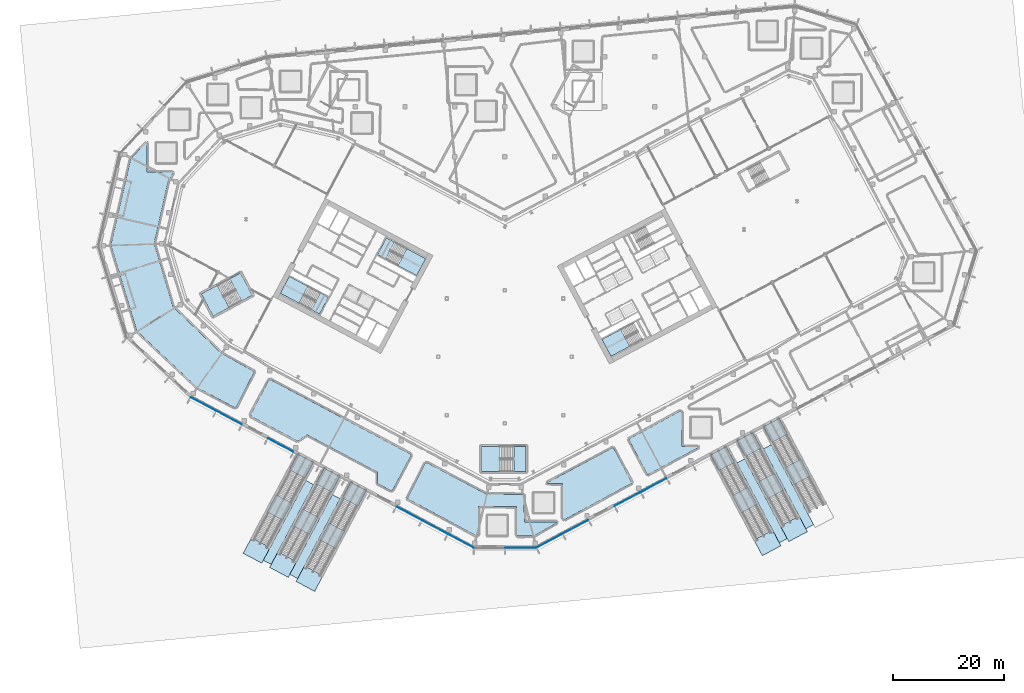
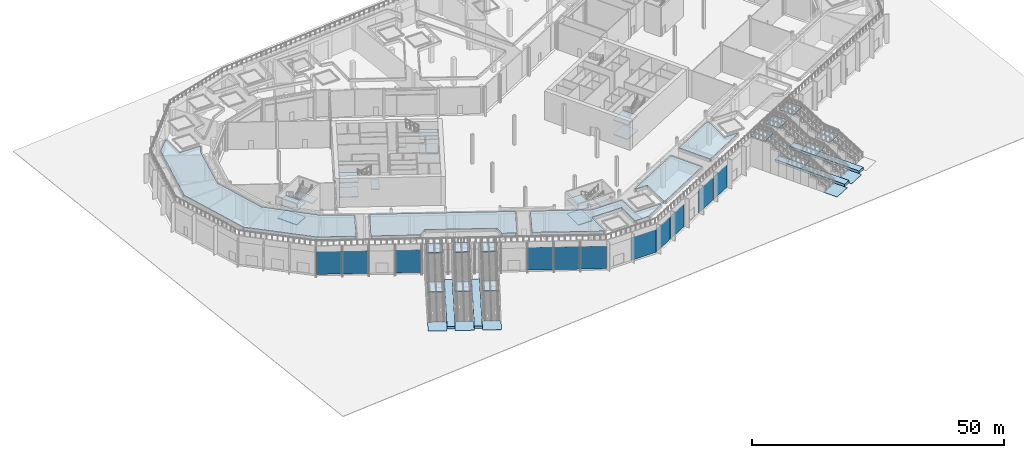
# One storey, part 11 of 57: 40 slabs, 11 plates, 14 elements without a shape of their own.
"""IFC4 building model written with IfcOpenShell, lengths in metres."""

from ifc_helpers import new_model, si_unit, direction, frame, origin, origin_2d, place, context, subcontext, project, spatial, polyline, rectangle, outline, extrude, material, layer, layer_set, type_object, element, aggregate, save


model = new_model("IFC4")

# Units and contexts
model_context = context("Model", 3, precision=1e-05, world=origin(), true_north=direction((0.0, 1.0)))
body_context = subcontext(model_context, "Body", "Model", "MODEL_VIEW")
ifc_project = project(units=[si_unit("LENGTHUNIT", "METRE"), si_unit("AREAUNIT", "SQUARE_METRE"), si_unit("VOLUMEUNIT", "CUBIC_METRE"), si_unit("PLANEANGLEUNIT", "RADIAN"), si_unit("MASSUNIT", "GRAM", prefix="KILO")], contexts=[model_context])

# Site, building, storey
site_placement = place(None, origin())
site = spatial("IfcSite", under=ifc_project, at=site_placement, CompositionType="ELEMENT")
building_placement = place(site_placement, origin())
building = spatial("IfcBuilding", under=site, at=building_placement, Name="Cormorant Relay Tower", CompositionType="ELEMENT")
storey_placement = place(building_placement, origin())
storey = spatial("IfcBuildingStorey", under=building, at=storey_placement, Name="L00", CompositionType="ELEMENT", Elevation=0.0)

# Curtain wall, plates
ifc_material_1 = material(Name="Aluminium 6063-T6 anodised bronze", Category="aluminium")
ifc_layer_1 = layer(ifc_material_1, 0.199951171875)
ifc_layer_set_1 = layer_set([ifc_layer_1], Name="CW2 base storefront")
curtain_wall_type = type_object("IfcCurtainWallType", Name="CW2 base storefront", PredefinedType="NOTDEFINED", material=ifc_layer_set_1)
curtain_wall_1_placement = place(storey_placement, origin())
curtain_wall_1 = element("IfcCurtainWall", 1, at=curtain_wall_1_placement, inside=storey, type_object=curtain_wall_type, Name="CW2 curtain wall 1", PredefinedType="NOTDEFINED")
ifc_material_2 = material(Name="Tinted laminated glass", Category="glass")
ifc_layer_2 = layer(ifc_material_2, 0.0400390625)
ifc_layer_set_2 = layer_set([ifc_layer_2], Name="CW2 tinted vision panel 5400 module")
plate_type = type_object("IfcPlateType", Name="CW2 tinted vision panel 5400 module", PredefinedType="CURTAIN_PANEL", material=ifc_layer_set_2)
plate_1_placement = place(storey_placement, frame((7.9990234375, -33.144287109375, 0.0), z_axis=(0.0, 0.0, 1.0), x_axis=(0.882947592859, 0.469471562786, 0.0)))
plate_1 = element("IfcPlate", 2, at=plate_1_placement, type_object=plate_type, Name="CW2 panel V00", PredefinedType="CURTAIN_PANEL", context=body_context, shape_type="SweptSolid", body=[
    extrude(rectangle(XDim=5.17041015625, YDim=0.0400390625, at=origin_2d()), origin(), (0.0, 0.0, 1.0), 5.5),
])
plate_2_placement = place(storey_placement, frame((12.69677734375, -30.646484375, 0.0), z_axis=(0.0, 0.0, 1.0), x_axis=(0.882947592859, 0.469471562786, 0.0)))
plate_2 = element("IfcPlate", 3, at=plate_2_placement, type_object=plate_type, Name="CW2 panel V01", PredefinedType="CURTAIN_PANEL", context=body_context, shape_type="SweptSolid", body=[
    extrude(rectangle(XDim=5.17041015625, YDim=0.0400390625, at=origin_2d()), origin(), (0.0, 0.0, 1.0), 5.5),
])
plate_3_placement = place(storey_placement, frame((22.09228515625, -25.65087890625, 0.0), z_axis=(0.0, 0.0, 1.0), x_axis=(0.882947592859, 0.469471562786, 0.0)))
plate_3 = element("IfcPlate", 4, at=plate_3_placement, type_object=plate_type, Name="CW2 panel V03", PredefinedType="CURTAIN_PANEL", context=body_context, shape_type="SweptSolid", body=[
    extrude(rectangle(XDim=5.17041015625, YDim=0.0400390625, at=origin_2d()), origin(), (0.0, 0.0, 1.0), 5.5),
])
plate_4_placement = place(storey_placement, frame((26.7900390625, -23.153076171875, 0.0), z_axis=(0.0, 0.0, 1.0), x_axis=(0.882947592859, 0.469471562786, 0.0)))
plate_4 = element("IfcPlate", 5, at=plate_4_placement, type_object=plate_type, Name="CW2 panel V04", PredefinedType="CURTAIN_PANEL", context=body_context, shape_type="SweptSolid", body=[
    extrude(rectangle(XDim=5.17041015625, YDim=0.0400390625, at=origin_2d()), origin(), (0.0, 0.0, 1.0), 5.5),
])
aggregate(curtain_wall_1, [plate_1, plate_2, plate_3, plate_4])

curtain_wall_2_placement = place(storey_placement, origin())
curtain_wall_2 = element("IfcCurtainWall", 6, at=curtain_wall_2_placement, inside=storey, type_object=curtain_wall_type, Name="CW2 curtain wall 11", PredefinedType="NOTDEFINED")
plate_5_placement = place(storey_placement, frame((-54.312255859375, -8.51904296875, 0.0), z_axis=(0.0, 0.0, 1.0), x_axis=(0.882947592859, -0.469471562786, 0.0)))
plate_5 = element("IfcPlate", 7, at=plate_5_placement, type_object=plate_type, Name="CW2 panel V00", PredefinedType="CURTAIN_PANEL", context=body_context, shape_type="SweptSolid", body=[
    extrude(rectangle(XDim=5.098876953125, YDim=0.0400390625, at=origin_2d()), origin(), (0.0, 0.0, 1.0), 5.5),
])
plate_6_placement = place(storey_placement, frame((-49.677734375, -10.9833984375, 0.0), z_axis=(0.0, 0.0, 1.0), x_axis=(0.882947592859, -0.469471562786, 0.0)))
plate_6 = element("IfcPlate", 8, at=plate_6_placement, type_object=plate_type, Name="CW2 panel V01", PredefinedType="CURTAIN_PANEL", context=body_context, shape_type="SweptSolid", body=[
    extrude(rectangle(XDim=5.098876953125, YDim=0.0400390625, at=origin_2d()), origin(), (0.0, 0.0, 1.0), 5.5),
])
plate_7_placement = place(storey_placement, frame((-40.40869140625, -15.91162109375, 0.0), z_axis=(0.0, 0.0, 1.0), x_axis=(0.882947592859, -0.469471562786, 0.0)))
plate_7 = element("IfcPlate", 9, at=plate_7_placement, type_object=plate_type, Name="CW2 panel V03", PredefinedType="CURTAIN_PANEL", context=body_context, shape_type="SweptSolid", body=[
    extrude(rectangle(XDim=5.098876953125, YDim=0.0400390625, at=origin_2d()), origin(), (0.0, 0.0, 1.0), 5.5),
])
plate_8_placement = place(storey_placement, frame((-17.236328125, -28.232666015625, 0.0), z_axis=(0.0, 0.0, 1.0), x_axis=(0.882947592859, -0.469471562786, 0.0)))
plate_8 = element("IfcPlate", 10, at=plate_8_placement, type_object=plate_type, Name="CW2 panel V08", PredefinedType="CURTAIN_PANEL", context=body_context, shape_type="SweptSolid", body=[
    extrude(rectangle(XDim=5.098876953125, YDim=0.0400390625, at=origin_2d()), origin(), (0.0, 0.0, 1.0), 5.5),
])
plate_9_placement = place(storey_placement, frame((-12.601806640625, -30.697021484375, 0.0), z_axis=(0.0, 0.0, 1.0), x_axis=(0.882947592859, -0.469471562786, 0.0)))
plate_9 = element("IfcPlate", 11, at=plate_9_placement, type_object=plate_type, Name="CW2 panel V09", PredefinedType="CURTAIN_PANEL", context=body_context, shape_type="SweptSolid", body=[
    extrude(rectangle(XDim=5.098876953125, YDim=0.0400390625, at=origin_2d()), origin(), (0.0, 0.0, 1.0), 5.5),
])
plate_10_placement = place(storey_placement, frame((-7.934326171875, -33.1787109375, 0.0), z_axis=(0.0, 0.0, 1.0), x_axis=(0.882947592859, -0.469471562786, 0.0)))
plate_10 = element("IfcPlate", 12, at=plate_10_placement, type_object=plate_type, Name="CW2 panel V10", PredefinedType="CURTAIN_PANEL", context=body_context, shape_type="SweptSolid", body=[
    extrude(rectangle(XDim=5.173828125, YDim=0.0400390625, at=origin_2d()), origin(), (0.0, 0.0, 1.0), 5.5),
])
aggregate(curtain_wall_2, [plate_5, plate_6, plate_7, plate_8, plate_9, plate_10])

# Curtain wall, plate
curtain_wall_3_placement = place(storey_placement, origin())
curtain_wall_3 = element("IfcCurtainWall", 13, at=curtain_wall_3_placement, inside=storey, type_object=curtain_wall_type, Name="CW2 curtain wall 12", PredefinedType="NOTDEFINED")
plate_11_placement = place(storey_placement, frame((2.85791015625, -34.3955078125, 0.0), z_axis=(0.0, 0.0, 1.0), x_axis=(1.0, 0.0, 0.0)))
plate_11 = element("IfcPlate", 14, at=plate_11_placement, type_object=plate_type, Name="CW2 panel V01", PredefinedType="CURTAIN_PANEL", context=body_context, shape_type="SweptSolid", body=[
    extrude(rectangle(XDim=5.56591796875, YDim=0.0400390625, at=origin_2d()), origin(), (0.0, 0.0, 1.0), 5.5),
])
aggregate(curtain_wall_3, [plate_11])

# Stair, slabs
ifc_material_3 = material(Name="Concrete 40 MPa", Category="concrete")
stair_type_1 = type_object("IfcStairType", Name="Exit stair 1500", PredefinedType="HALF_TURN_STAIR", material=ifc_material_3)
stair_1_placement = place(storey_placement, origin())
stair_1 = element("IfcStair", 15, at=stair_1_placement, inside=storey, type_object=stair_type_1, Name="L00 Stair", PredefinedType="HALF_TURN_STAIR")
ifc_material_4 = material(Name="Concrete 40 MPa", Category="concrete")
ifc_layer_3 = layer(ifc_material_4, 0.199951171875)
ifc_layer_set_3 = layer_set([ifc_layer_3], Name="Exit stair landing 200")
slab_type_1 = type_object("IfcSlabType", Name="Exit stair landing 200", PredefinedType="LANDING", material=ifc_layer_set_3)
slab_1_placement = place(storey_placement, frame((0.0, 0.0, 1.550048828125)))
slab_1 = element("IfcSlab", 16, at=slab_1_placement, type_object=slab_type_1, Name="A1 landing 1", PredefinedType="LANDING", context=body_context, shape_type="SweptSolid", body=[
    extrude(outline(polyline([(-19.276611328125, 16.422119140625), (-15.89501953125, 14.6240234375), (-14.275390625, 17.670166015625), (-17.656982421875, 19.46826171875), (-19.276611328125, 16.422119140625)])), origin(), (0.0, 0.0, 1.0), 0.199951171875),
])
slab_2_placement = place(storey_placement, frame((0.0, 0.0, 3.300048828125)))
slab_2 = element("IfcSlab", 17, at=slab_2_placement, type_object=slab_type_1, Name="A1 landing 2", PredefinedType="LANDING", context=body_context, shape_type="SweptSolid", body=[
    extrude(outline(polyline([(-22.95849609375, 18.3798828125), (-21.501708984375, 17.605224609375), (-19.882080078125, 20.6513671875), (-21.3388671875, 21.426025390625), (-22.95849609375, 18.3798828125)])), origin(), (0.0, 0.0, 1.0), 0.199951171875),
])
slab_3_placement = place(storey_placement, frame((0.0, 0.0, 5.050048828125)))
slab_3 = element("IfcSlab", 18, at=slab_3_placement, type_object=slab_type_1, Name="A1 landing 3", PredefinedType="LANDING", context=body_context, shape_type="SweptSolid", body=[
    extrude(outline(polyline([(-19.276611328125, 16.422119140625), (-15.89501953125, 14.6240234375), (-14.275390625, 17.670166015625), (-17.656982421875, 19.46826171875), (-19.276611328125, 16.422119140625)])), origin(), (0.0, 0.0, 1.0), 0.199951171875),
])
aggregate(stair_1, [slab_1, slab_2, slab_3])

stair_2_placement = place(storey_placement, origin())
stair_2 = element("IfcStair", 19, at=stair_2_placement, inside=storey, type_object=stair_type_1, Name="L00 Stair", PredefinedType="HALF_TURN_STAIR")
slab_4_placement = place(storey_placement, frame((0.0, 0.0, 1.550048828125)))
slab_4 = element("IfcSlab", 20, at=slab_4_placement, type_object=slab_type_1, Name="A2 landing 1", PredefinedType="LANDING", context=body_context, shape_type="SweptSolid", body=[
    extrude(outline(polyline([(-35.466064453125, 12.68505859375), (-38.84765625, 14.483154296875), (-40.467529296875, 11.43701171875), (-37.085693359375, 9.638916015625), (-35.466064453125, 12.68505859375)])), origin(), (0.0, 0.0, 1.0), 0.199951171875),
])
slab_5_placement = place(storey_placement, frame((0.0, 0.0, 3.300048828125)))
slab_5 = element("IfcSlab", 21, at=slab_5_placement, type_object=slab_type_1, Name="A2 landing 2", PredefinedType="LANDING", context=body_context, shape_type="SweptSolid", body=[
    extrude(outline(polyline([(-31.7841796875, 10.7275390625), (-33.240966796875, 11.501953125), (-34.86083984375, 8.455810546875), (-33.40380859375, 7.681396484375), (-31.7841796875, 10.7275390625)])), origin(), (0.0, 0.0, 1.0), 0.199951171875),
])
slab_6_placement = place(storey_placement, frame((0.0, 0.0, 5.050048828125)))
slab_6 = element("IfcSlab", 22, at=slab_6_placement, type_object=slab_type_1, Name="A2 landing 3", PredefinedType="LANDING", context=body_context, shape_type="SweptSolid", body=[
    extrude(outline(polyline([(-35.466064453125, 12.68505859375), (-38.84765625, 14.483154296875), (-40.467529296875, 11.43701171875), (-37.085693359375, 9.638916015625), (-35.466064453125, 12.68505859375)])), origin(), (0.0, 0.0, 1.0), 0.199951171875),
])
aggregate(stair_2, [slab_4, slab_5, slab_6])

stair_3_placement = place(storey_placement, origin())
stair_3 = element("IfcStair", 23, at=stair_3_placement, inside=storey, type_object=stair_type_1, Name="L00 Stair", PredefinedType="HALF_TURN_STAIR")
slab_7_placement = place(storey_placement, frame((0.0, 0.0, 1.550048828125)))
slab_7 = element("IfcSlab", 24, at=slab_7_placement, type_object=slab_type_1, Name="B1 landing 1", PredefinedType="LANDING", context=body_context, shape_type="SweptSolid", body=[
    extrude(outline(polyline([(20.862060546875, 4.920166015625), (17.48046875, 3.1220703125), (19.10009765625, 0.075927734375), (22.481689453125, 1.8740234375), (20.862060546875, 4.920166015625)])), origin(), (0.0, 0.0, 1.0), 0.199951171875),
])
slab_8_placement = place(storey_placement, frame((0.0, 0.0, 5.050048828125)))
slab_8 = element("IfcSlab", 25, at=slab_8_placement, type_object=slab_type_1, Name="B1 landing 3", PredefinedType="LANDING", context=body_context, shape_type="SweptSolid", body=[
    extrude(outline(polyline([(20.862060546875, 4.920166015625), (17.48046875, 3.1220703125), (19.10009765625, 0.075927734375), (22.481689453125, 1.8740234375), (20.862060546875, 4.920166015625)])), origin(), (0.0, 0.0, 1.0), 0.199951171875),
])
aggregate(stair_3, [slab_7, slab_8])

ifc_material_5 = material(Name="Concrete 40 MPa", Category="concrete")
stair_type_2 = type_object("IfcStairType", Name="Remote exit stair 2200", PredefinedType="HALF_TURN_STAIR", material=ifc_material_5)
stair_4_placement = place(storey_placement, origin())
stair_4 = element("IfcStair", 26, at=stair_4_placement, inside=storey, type_object=stair_type_2, Name="L00 Stair", PredefinedType="HALF_TURN_STAIR")
slab_9_placement = place(storey_placement, frame((0.0, 0.0, 1.550048828125)))
slab_9 = element("IfcSlab", 27, at=slab_9_placement, type_object=slab_type_1, Name="RK1 landing 1", PredefinedType="LANDING", context=body_context, shape_type="SweptSolid", body=[
    extrude(outline(polyline([(-0.919921875, -16.125), (-4.199951171875, -16.125), (-4.199951171875, -20.675048828125), (-0.919921875, -20.675048828125), (-0.919921875, -16.125)])), origin(), (0.0, 0.0, 1.0), 0.199951171875),
])
slab_10_placement = place(storey_placement, frame((0.0, 0.0, 3.300048828125)))
slab_10 = element("IfcSlab", 28, at=slab_10_placement, type_object=slab_type_1, Name="RK1 landing 2", PredefinedType="LANDING", context=body_context, shape_type="SweptSolid", body=[
    extrude(outline(polyline([(3.800048828125, -16.125), (1.60009765625, -16.125), (1.60009765625, -20.675048828125), (3.800048828125, -20.675048828125), (3.800048828125, -16.125)])), origin(), (0.0, 0.0, 1.0), 0.199951171875),
])
slab_11_placement = place(storey_placement, frame((0.0, 0.0, 5.050048828125)))
slab_11 = element("IfcSlab", 29, at=slab_11_placement, type_object=slab_type_1, Name="RK1 landing 3", PredefinedType="LANDING", context=body_context, shape_type="SweptSolid", body=[
    extrude(outline(polyline([(-0.919921875, -16.125), (-4.199951171875, -16.125), (-4.199951171875, -20.675048828125), (-0.919921875, -20.675048828125), (-0.919921875, -16.125)])), origin(), (0.0, 0.0, 1.0), 0.199951171875),
])
aggregate(stair_4, [slab_9, slab_10, slab_11])

stair_5_placement = place(storey_placement, origin())
stair_5 = element("IfcStair", 30, at=stair_5_placement, inside=storey, type_object=stair_type_2, Name="L00 Stair", PredefinedType="HALF_TURN_STAIR")
slab_12_placement = place(storey_placement, frame((0.0, 0.0, 1.550048828125)))
slab_12 = element("IfcSlab", 31, at=slab_12_placement, type_object=slab_type_1, Name="RP1 landing 1", PredefinedType="LANDING", context=body_context, shape_type="SweptSolid", body=[
    extrude(outline(polyline([(-51.8037109375, 12.87060546875), (-54.699951171875, 11.330810546875), (-52.563720703125, 7.3134765625), (-49.667724609375, 8.853271484375), (-51.8037109375, 12.87060546875)])), origin(), (0.0, 0.0, 1.0), 0.199951171875),
])
slab_13_placement = place(storey_placement, frame((0.0, 0.0, 3.300048828125)))
slab_13 = element("IfcSlab", 32, at=slab_13_placement, type_object=slab_type_1, Name="RP1 landing 2", PredefinedType="LANDING", context=body_context, shape_type="SweptSolid", body=[
    extrude(outline(polyline([(-47.63623046875, 15.086669921875), (-49.578857421875, 14.0537109375), (-47.442626953125, 10.036376953125), (-45.500244140625, 11.069091796875), (-47.63623046875, 15.086669921875)])), origin(), (0.0, 0.0, 1.0), 0.199951171875),
])
slab_14_placement = place(storey_placement, frame((0.0, 0.0, 5.050048828125)))
slab_14 = element("IfcSlab", 33, at=slab_14_placement, type_object=slab_type_1, Name="RP1 landing 3", PredefinedType="LANDING", context=body_context, shape_type="SweptSolid", body=[
    extrude(outline(polyline([(-51.8037109375, 12.87060546875), (-54.699951171875, 11.330810546875), (-52.563720703125, 7.3134765625), (-49.667724609375, 8.853271484375), (-51.8037109375, 12.87060546875)])), origin(), (0.0, 0.0, 1.0), 0.199951171875),
])
aggregate(stair_5, [slab_12, slab_13, slab_14])

# Slabs
ifc_material_6 = material(Name="Planting soil")
ifc_layer_4 = layer(ifc_material_6, 0.60009765625)
ifc_layer_set_4 = layer_set([ifc_layer_4], Name="PLANTER bed")
slab_type_2 = type_object("IfcSlabType", Name="PLANTER bed", PredefinedType="FLOOR", material=ifc_layer_set_4)
slab_15_placement = place(storey_placement, frame((0.0, 0.0, 7.0)))
element("IfcSlab", 34, at=slab_15_placement, inside=storey, type_object=slab_type_2, Name="PLANTER 01", PredefinedType="FLOOR", context=body_context, shape_type="SweptSolid", body=[
    extrude(outline(polyline([(2.341064453125, -32.323974609375), (5.212158203125, -32.27978515625), (9.39794921875, -29.89990234375), (9.268310546875, -29.741455078125), (3.5400390625, -29.7177734375), (3.363037109375, -24.8076171875), (-3.357177734375, -24.7275390625), (-14.030029296875, -19.098388671875), (-14.371337890625, -19.20263671875), (-17.62109375, -25.552490234375), (-5.11474609375, -32.279541015625), (-4.810302734375, -32.05029296875), (-4.78662109375, -26.947021484375), (2.089111328125, -27.0078125), (2.089111328125, -32.072021484375), (2.341064453125, -32.323974609375)])), origin(), (0.0, 0.0, 1.0), 0.60009765625),
])
slab_16_placement = place(storey_placement, frame((0.0, 0.0, 7.0)))
element("IfcSlab", 35, at=slab_16_placement, inside=storey, type_object=slab_type_2, Name="PLANTER 02", PredefinedType="FLOOR", context=body_context, shape_type="SweptSolid", body=[
    extrude(outline(polyline([(10.752197265625, -29.334716796875), (22.915771484375, -22.73828125), (19.50390625, -16.321533203125), (7.5859375, -22.6904296875), (7.711181640625, -22.843017578125), (10.3837890625, -22.86767578125), (10.407470703125, -29.127685546875), (10.752197265625, -29.334716796875)])), origin(), (0.0, 0.0, 1.0), 0.60009765625),
])
slab_17_placement = place(storey_placement, frame((0.0, 0.0, 7.0)))
element("IfcSlab", 36, at=slab_17_placement, inside=storey, type_object=slab_type_2, Name="PLANTER 03", PredefinedType="FLOOR", context=body_context, shape_type="SweptSolid", body=[
    extrude(outline(polyline([(-20.559814453125, -24.12109375), (-20.217041015625, -24.016357421875), (-16.93408203125, -17.841796875), (-17.038818359375, -17.4990234375), (-42.1962890625, -4.122802734375), (-42.5390625, -4.2275390625), (-45.822021484375, -10.40185546875), (-45.71728515625, -10.744873046875), (-37.361083984375, -15.187744140625), (-35.62890625, -14.0703125), (-22.96728515625, -20.805419921875), (-22.971435546875, -22.8388671875), (-20.559814453125, -24.12109375)])), origin(), (0.0, 0.0, 1.0), 0.60009765625),
])
slab_18_placement = place(storey_placement, frame((0.0, 0.0, 7.0)))
element("IfcSlab", 37, at=slab_18_placement, inside=storey, type_object=slab_type_2, Name="PLANTER 04", PredefinedType="FLOOR", context=body_context, shape_type="SweptSolid", body=[
    extrude(outline(polyline([(25.681884765625, -21.264404296875), (34.891845703125, -16.335693359375), (34.7666015625, -16.18310546875), (31.904296875, -16.15869140625), (31.880615234375, -9.999267578125), (31.5361328125, -9.79248046875), (22.27001953125, -14.847412109375), (25.681884765625, -21.264404296875)])), origin(), (0.0, 0.0, 1.0), 0.60009765625),
])
slab_19_placement = place(storey_placement, frame((0.0, 0.0, 7.0)))
element("IfcSlab", 38, at=slab_19_placement, inside=storey, type_object=slab_type_2, Name="PLANTER 06", PredefinedType="FLOOR", context=body_context, shape_type="SweptSolid", body=[
    extrude(outline(polyline([(-48.725341796875, -9.14501953125), (-48.384765625, -9.041015625), (-45.13330078125, -2.687744140625), (-51.102783203125, 0.65380859375), (-59.782958984375, 8.994384765625), (-63.177490234375, 20.41259765625), (-60.65185546875, 31.578857421875), (-59.75439453125, 33.087890625), (-59.941162109375, 33.2705078125), (-64.449462890625, 33.294677734375), (-64.473388671875, 38.43994140625), (-64.627685546875, 38.5908203125), (-67.394287109375, 35.714599609375), (-70.990478515625, 20.1376953125), (-66.308349609375, 4.64111328125), (-55.457275390625, -5.550537109375), (-48.725341796875, -9.14501953125)])), origin(), (0.0, 0.0, 1.0), 0.60009765625),
])
slab_20_placement = place(storey_placement, origin())
element("IfcSlab", 39, at=slab_20_placement, inside=storey, type_object=slab_type_2, Name="Street PLANTER 01", PredefinedType="FLOOR", context=body_context, shape_type="SweptSolid", body=[
    extrude(outline(polyline([(49.427978515625, -33.518310546875), (50.8408203125, -32.76708984375), (43.188232421875, -18.375244140625), (41.775634765625, -19.126220703125), (49.427978515625, -33.518310546875)])), origin(), (0.0, 0.0, 1.0), 0.60009765625),
])
slab_21_placement = place(storey_placement, origin())
element("IfcSlab", 40, at=slab_21_placement, inside=storey, type_object=slab_type_2, Name="Street PLANTER 02", PredefinedType="FLOOR", context=body_context, shape_type="SweptSolid", body=[
    extrude(outline(polyline([(54.19580078125, -30.983154296875), (55.608642578125, -30.232177734375), (47.956298828125, -15.840087890625), (46.54345703125, -16.59130859375), (54.19580078125, -30.983154296875)])), origin(), (0.0, 0.0, 1.0), 0.60009765625),
])
slab_22_placement = place(storey_placement, origin())
element("IfcSlab", 41, at=slab_22_placement, inside=storey, type_object=slab_type_2, Name="Street PLANTER 03", PredefinedType="FLOOR", context=body_context, shape_type="SweptSolid", body=[
    extrude(outline(polyline([(-42.103515625, -37.412841796875), (-34.451171875, -23.020751953125), (-35.864013671875, -22.26953125), (-43.516357421875, -36.66162109375), (-42.103515625, -37.412841796875)])), origin(), (0.0, 0.0, 1.0), 0.60009765625),
])
slab_23_placement = place(storey_placement, origin())
element("IfcSlab", 42, at=slab_23_placement, inside=storey, type_object=slab_type_2, Name="Street PLANTER 04", PredefinedType="FLOOR", context=body_context, shape_type="SweptSolid", body=[
    extrude(outline(polyline([(-37.335693359375, -39.947998046875), (-29.683349609375, -25.555908203125), (-31.095947265625, -24.8046875), (-38.748291015625, -39.19677734375), (-37.335693359375, -39.947998046875)])), origin(), (0.0, 0.0, 1.0), 0.60009765625),
])

# Stair, slab
ifc_material_7 = material(Name="Concrete 40 MPa", Category="concrete")
stair_type_3 = type_object("IfcStairType", Name="Street stair 3200", PredefinedType="STRAIGHT_RUN_STAIR", material=ifc_material_7)
stair_6_placement = place(storey_placement, origin())
stair_6 = element("IfcStair", 43, at=stair_6_placement, inside=storey, type_object=stair_type_3, Name="Street stair 1A", PredefinedType="STRAIGHT_RUN_STAIR")
ifc_material_8 = material(Name="Concrete 40 MPa", Category="concrete")
ifc_layer_5 = layer(ifc_material_8, 0.14990234375)
ifc_layer_set_5 = layer_set([ifc_layer_5], Name="Stair foot slab 150")
slab_type_3 = type_object("IfcSlabType", Name="Stair foot slab 150", PredefinedType="LANDING", material=ifc_layer_set_5)
slab_24_placement = place(storey_placement, frame((0.0, 0.0, -0.14990234375)))
slab_24 = element("IfcSlab", 44, at=slab_24_placement, type_object=slab_type_3, Name="Street stair 1A foot slab", PredefinedType="LANDING", context=body_context, shape_type="SweptSolid", body=[
    extrude(outline(polyline([(44.85205078125, -33.006591796875), (46.3544921875, -35.83203125), (49.709716796875, -34.048095703125), (48.207275390625, -31.22265625), (44.85205078125, -33.006591796875)])), origin(), (0.0, 0.0, 1.0), 0.14990234375),
])

stair_7_placement = place(storey_placement, origin())
stair_7 = element("IfcStair", 45, at=stair_7_placement, inside=storey, type_object=stair_type_3, Name="Street stair 1B", PredefinedType="STRAIGHT_RUN_STAIR")
slab_25_placement = place(storey_placement, frame((0.0, 0.0, -0.14990234375)))
slab_25 = element("IfcSlab", 46, at=slab_25_placement, type_object=slab_type_3, Name="Street stair 1B foot slab", PredefinedType="LANDING", context=body_context, shape_type="SweptSolid", body=[
    extrude(outline(polyline([(49.6201171875, -30.4716796875), (51.122314453125, -33.297119140625), (54.4775390625, -31.512939453125), (52.97509765625, -28.6875), (49.6201171875, -30.4716796875)])), origin(), (0.0, 0.0, 1.0), 0.14990234375),
])

stair_8_placement = place(storey_placement, origin())
stair_8 = element("IfcStair", 47, at=stair_8_placement, inside=storey, type_object=stair_type_3, Name="Street stair 2A", PredefinedType="STRAIGHT_RUN_STAIR")
slab_26_placement = place(storey_placement, frame((0.0, 0.0, -0.14990234375)))
slab_26 = element("IfcSlab", 48, at=slab_26_placement, type_object=slab_type_3, Name="Street stair 2A foot slab", PredefinedType="LANDING", context=body_context, shape_type="SweptSolid", body=[
    extrude(outline(polyline([(-45.65087890625, -32.58203125), (-47.1533203125, -35.407470703125), (-43.798095703125, -37.19140625), (-42.295654296875, -34.365966796875), (-45.65087890625, -32.58203125)])), origin(), (0.0, 0.0, 1.0), 0.14990234375),
])

stair_9_placement = place(storey_placement, origin())
stair_9 = element("IfcStair", 49, at=stair_9_placement, inside=storey, type_object=stair_type_3, Name="Street stair 2B", PredefinedType="STRAIGHT_RUN_STAIR")
slab_27_placement = place(storey_placement, frame((0.0, 0.0, -0.14990234375)))
slab_27 = element("IfcSlab", 50, at=slab_27_placement, type_object=slab_type_3, Name="Street stair 2B foot slab", PredefinedType="LANDING", context=body_context, shape_type="SweptSolid", body=[
    extrude(outline(polyline([(-40.883056640625, -35.1171875), (-42.38525390625, -37.942626953125), (-39.030029296875, -39.7265625), (-37.52783203125, -36.901123046875), (-40.883056640625, -35.1171875)])), origin(), (0.0, 0.0, 1.0), 0.14990234375),
])

stair_10_placement = place(storey_placement, origin())
stair_10 = element("IfcStair", 51, at=stair_10_placement, inside=storey, type_object=stair_type_3, Name="Street stair 2C", PredefinedType="STRAIGHT_RUN_STAIR")
slab_28_placement = place(storey_placement, frame((0.0, 0.0, -0.14990234375)))
slab_28 = element("IfcSlab", 52, at=slab_28_placement, type_object=slab_type_3, Name="Street stair 2C foot slab", PredefinedType="LANDING", context=body_context, shape_type="SweptSolid", body=[
    extrude(outline(polyline([(-36.114990234375, -37.65234375), (-37.6171875, -40.477783203125), (-34.26220703125, -42.26171875), (-32.759765625, -39.436279296875), (-36.114990234375, -37.65234375)])), origin(), (0.0, 0.0, 1.0), 0.14990234375),
])

# Slab
ifc_material_9 = material(Name="Concrete 40 MPa", Category="concrete")
ifc_layer_6 = layer(ifc_material_9, 0.25)
ifc_layer_set_6 = layer_set([ifc_layer_6], Name="Stair landing 250")
slab_type_4 = type_object("IfcSlabType", Name="Stair landing 250", PredefinedType="LANDING", material=ifc_layer_set_6)
slab_29_placement = place(storey_placement, frame((0.0, 0.0, 3.25)))
slab_29 = element("IfcSlab", 53, at=slab_29_placement, type_object=slab_type_4, Name="Street stair 1A landing", PredefinedType="LANDING", context=body_context, shape_type="SweptSolid", body=[
    extrude(outline(polyline([(40.938720703125, -25.007568359375), (42.581787109375, -28.097900390625), (45.4072265625, -26.595703125), (43.76416015625, -23.50537109375), (40.938720703125, -25.007568359375)])), origin(), (0.0, 0.0, 1.0), 0.25),
])

slab_30_placement = place(storey_placement, frame((0.0, 0.0, 6.75)))
slab_30 = element("IfcSlab", 54, at=slab_30_placement, type_object=slab_type_4, Name="Street stair 1A head landing", PredefinedType="LANDING", context=body_context, shape_type="SweptSolid", body=[
    extrude(outline(polyline([(37.0419921875, -17.67919921875), (38.54443359375, -20.504638671875), (41.369873046875, -19.002197265625), (39.867431640625, -16.177001953125), (37.0419921875, -17.67919921875)])), origin(), (0.0, 0.0, 1.0), 0.25),
])

aggregate(stair_6, [slab_29, slab_30, slab_24])

slab_31_placement = place(storey_placement, frame((0.0, 0.0, 3.25)))
slab_31 = element("IfcSlab", 55, at=slab_31_placement, type_object=slab_type_4, Name="Street stair 1B landing", PredefinedType="LANDING", context=body_context, shape_type="SweptSolid", body=[
    extrude(outline(polyline([(45.70654296875, -22.472412109375), (47.349853515625, -25.562744140625), (50.17529296875, -24.060546875), (48.531982421875, -20.97021484375), (45.70654296875, -22.472412109375)])), origin(), (0.0, 0.0, 1.0), 0.25),
])

slab_32_placement = place(storey_placement, frame((0.0, 0.0, 6.75)))
slab_32 = element("IfcSlab", 56, at=slab_32_placement, type_object=slab_type_4, Name="Street stair 1B head landing", PredefinedType="LANDING", context=body_context, shape_type="SweptSolid", body=[
    extrude(outline(polyline([(41.81005859375, -15.14404296875), (43.312255859375, -17.969482421875), (46.1376953125, -16.46728515625), (44.635498046875, -13.6416015625), (41.81005859375, -15.14404296875)])), origin(), (0.0, 0.0, 1.0), 0.25),
])

aggregate(stair_7, [slab_31, slab_32, slab_25])

# Stair, slabs
stair_11_placement = place(storey_placement, origin())
stair_11 = element("IfcStair", 57, at=stair_11_placement, inside=storey, type_object=stair_type_3, Name="Street stair 1C", PredefinedType="STRAIGHT_RUN_STAIR")
slab_33_placement = place(storey_placement, frame((0.0, 0.0, 3.25)))
slab_33 = element("IfcSlab", 58, at=slab_33_placement, type_object=slab_type_4, Name="Street stair 1C landing", PredefinedType="LANDING", context=body_context, shape_type="SweptSolid", body=[
    extrude(outline(polyline([(50.474609375, -19.937255859375), (52.11767578125, -23.027587890625), (54.943115234375, -21.525390625), (53.300048828125, -18.43505859375), (50.474609375, -19.937255859375)])), origin(), (0.0, 0.0, 1.0), 0.25),
])
slab_34_placement = place(storey_placement, frame((0.0, 0.0, 6.75)))
slab_34 = element("IfcSlab", 59, at=slab_34_placement, type_object=slab_type_4, Name="Street stair 1C head landing", PredefinedType="LANDING", context=body_context, shape_type="SweptSolid", body=[
    extrude(outline(polyline([(46.577880859375, -12.60888671875), (48.080078125, -15.434326171875), (50.90576171875, -13.931884765625), (49.4033203125, -11.106689453125), (46.577880859375, -12.60888671875)])), origin(), (0.0, 0.0, 1.0), 0.25),
])
aggregate(stair_11, [slab_33, slab_34])

# Slab
slab_35_placement = place(storey_placement, frame((0.0, 0.0, 3.25)))
slab_35 = element("IfcSlab", 60, at=slab_35_placement, type_object=slab_type_4, Name="Street stair 2A landing", PredefinedType="LANDING", context=body_context, shape_type="SweptSolid", body=[
    extrude(outline(polyline([(-41.207763671875, -24.864501953125), (-42.850830078125, -27.954833984375), (-40.025390625, -29.457275390625), (-38.38232421875, -26.366943359375), (-41.207763671875, -24.864501953125)])), origin(), (0.0, 0.0, 1.0), 0.25),
])

slab_36_placement = place(storey_placement, frame((0.0, 0.0, 6.75)))
slab_36 = element("IfcSlab", 61, at=slab_36_placement, type_object=slab_type_4, Name="Street stair 2A head landing", PredefinedType="LANDING", context=body_context, shape_type="SweptSolid", body=[
    extrude(outline(polyline([(-37.31103515625, -17.5361328125), (-38.8134765625, -20.361572265625), (-35.988037109375, -21.864013671875), (-34.485595703125, -19.03857421875), (-37.31103515625, -17.5361328125)])), origin(), (0.0, 0.0, 1.0), 0.25),
])

aggregate(stair_8, [slab_35, slab_36, slab_26])

slab_37_placement = place(storey_placement, frame((0.0, 0.0, 3.25)))
slab_37 = element("IfcSlab", 62, at=slab_37_placement, type_object=slab_type_4, Name="Street stair 2B landing", PredefinedType="LANDING", context=body_context, shape_type="SweptSolid", body=[
    extrude(outline(polyline([(-36.439697265625, -27.39990234375), (-38.0830078125, -30.489990234375), (-35.257568359375, -31.992431640625), (-33.6142578125, -28.902099609375), (-36.439697265625, -27.39990234375)])), origin(), (0.0, 0.0, 1.0), 0.25),
])

slab_38_placement = place(storey_placement, frame((0.0, 0.0, 6.75)))
slab_38 = element("IfcSlab", 63, at=slab_38_placement, type_object=slab_type_4, Name="Street stair 2B head landing", PredefinedType="LANDING", context=body_context, shape_type="SweptSolid", body=[
    extrude(outline(polyline([(-32.543212890625, -20.0712890625), (-34.04541015625, -22.896728515625), (-31.219970703125, -24.39892578125), (-29.7177734375, -21.573486328125), (-32.543212890625, -20.0712890625)])), origin(), (0.0, 0.0, 1.0), 0.25),
])

aggregate(stair_9, [slab_37, slab_38, slab_27])

slab_39_placement = place(storey_placement, frame((0.0, 0.0, 3.25)))
slab_39 = element("IfcSlab", 64, at=slab_39_placement, type_object=slab_type_4, Name="Street stair 2C landing", PredefinedType="LANDING", context=body_context, shape_type="SweptSolid", body=[
    extrude(outline(polyline([(-31.671875, -29.934814453125), (-33.31494140625, -33.025146484375), (-30.489501953125, -34.527587890625), (-28.846435546875, -31.437255859375), (-31.671875, -29.934814453125)])), origin(), (0.0, 0.0, 1.0), 0.25),
])

slab_40_placement = place(storey_placement, frame((0.0, 0.0, 6.75)))
slab_40 = element("IfcSlab", 65, at=slab_40_placement, type_object=slab_type_4, Name="Street stair 2C head landing", PredefinedType="LANDING", context=body_context, shape_type="SweptSolid", body=[
    extrude(outline(polyline([(-27.775146484375, -22.6064453125), (-29.277587890625, -25.431884765625), (-26.4521484375, -26.93408203125), (-24.94970703125, -24.10888671875), (-27.775146484375, -22.6064453125)])), origin(), (0.0, 0.0, 1.0), 0.25),
])

aggregate(stair_10, [slab_39, slab_40, slab_28])

save(model, "model.ifc")
